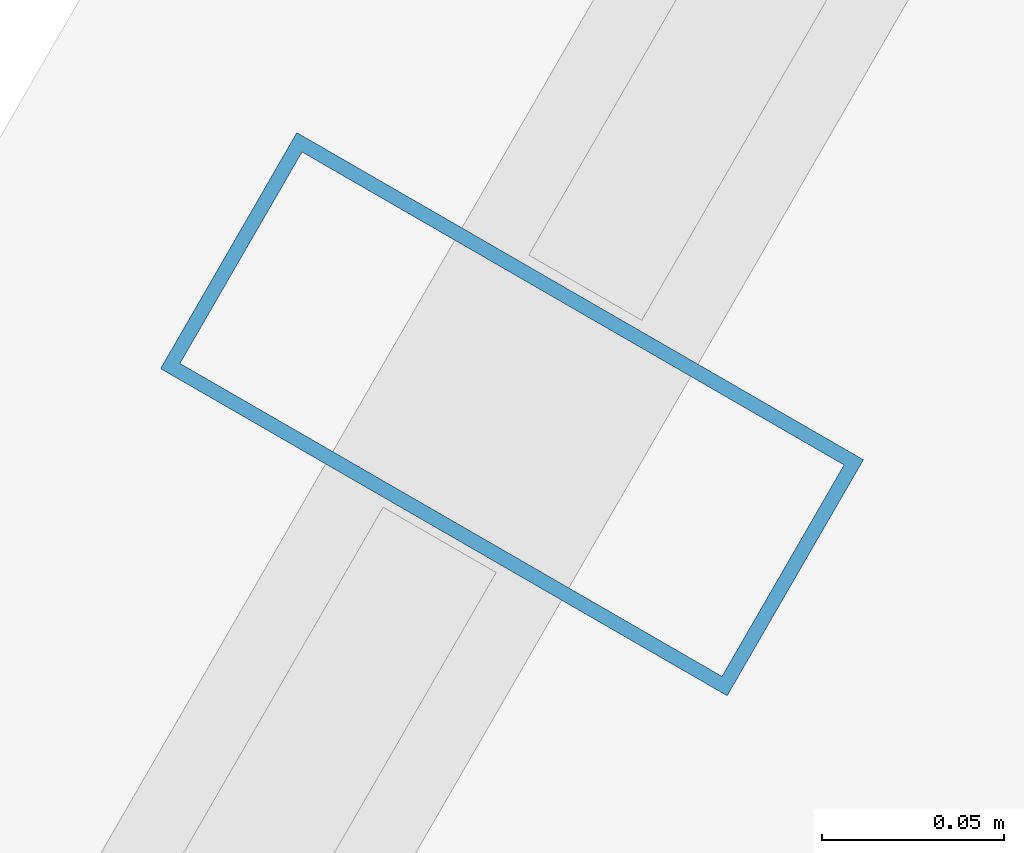
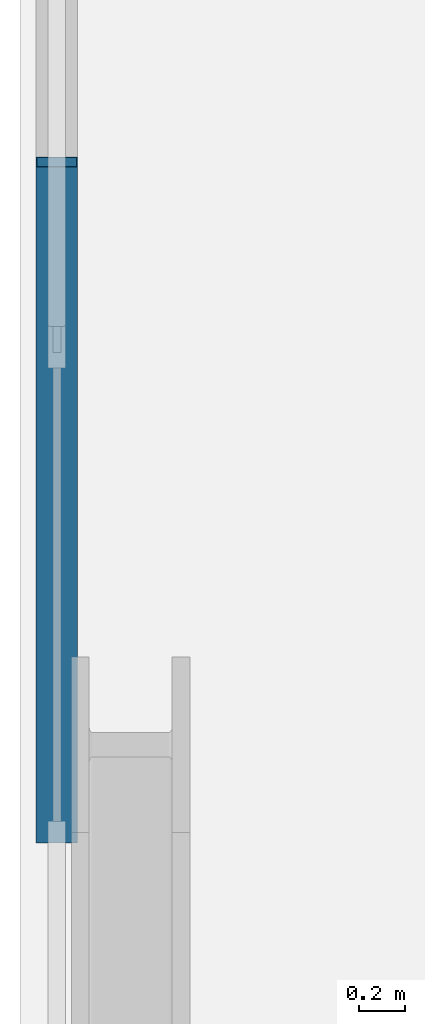
# One storey, part 14 of 33: 1 member, 1 element without a shape of its own.
"""IFC4 building model written with IfcOpenShell, lengths in metres."""

from ifc_helpers import new_model, si_unit, direction, frame, origin, origin_2d, place, context, subcontext, project, spatial, hollow_rectangle, extrude, material, layer, layer_set, material_profile, profile_set, type_object, element, aggregate, save


model = new_model("IFC4")

# Units and contexts
model_context = context("Model", 3, precision=1e-05, world=origin(), true_north=direction((0.0, 1.0)))
body_context = subcontext(model_context, "Body", "Model", "MODEL_VIEW")
ifc_project = project(units=[si_unit("LENGTHUNIT", "METRE"), si_unit("AREAUNIT", "SQUARE_METRE"), si_unit("VOLUMEUNIT", "CUBIC_METRE"), si_unit("PLANEANGLEUNIT", "RADIAN"), si_unit("MASSUNIT", "GRAM", prefix="KILO")], contexts=[model_context])

# Site, building, storey
site_placement = place(None, origin())
site = spatial("IfcSite", under=ifc_project, at=site_placement, CompositionType="ELEMENT")
building_placement = place(site_placement, origin())
building = spatial("IfcBuilding", under=site, at=building_placement, Name="Ndaravel Arena Tower", CompositionType="ELEMENT")
storey_placement = place(building_placement, frame((0.0, 0.0, 85.39990234375)))
storey = spatial("IfcBuildingStorey", under=building, at=storey_placement, Name="L19", CompositionType="ELEMENT", Elevation=85.39990234375)

# Curtain wall, member
ifc_material_1 = material(Name="Aluminium", Category="aluminium")
ifc_layer = layer(ifc_material_1, 0.179931640625)
ifc_layer_set = layer_set([ifc_layer], Name="Aluminium")
curtain_wall_type = type_object("IfcCurtainWallType", Name="CW-SYS-03", PredefinedType="NOTDEFINED", material=ifc_layer_set)
curtain_wall_placement = place(storey_placement, origin())
curtain_wall = element("IfcCurtainWall", 1, at=curtain_wall_placement, inside=storey, type_object=curtain_wall_type, Name="L19 Faceted Crystal Curtain Wall CW-L19-E05", PredefinedType="NOTDEFINED")
ifc_material_2 = material(Name="Aluminium", Category="aluminium")
ifc_material_profile = material_profile(ifc_material_2, hollow_rectangle(XDim=0.074951171875, YDim=0.179931640625, WallThickness=0.00390625, at=origin_2d()), Name="CW MULLION 75x180x4")
ifc_profile_set = profile_set([ifc_material_profile], Name="Aluminium")
member_type = type_object("IfcMemberType", Name="MEM-CW-MUL180", PredefinedType="MULLION", material=ifc_profile_set)
member_placement = place(storey_placement, frame((27.800537109375, 33.78955078125, 0.0), z_axis=(0.0, 0.0, 1.0), x_axis=(-0.5, -0.866025403784, 0.0)))
member = element("IfcMember", 2, at=member_placement, type_object=member_type, Name="CW-L19-E05 Mullion 03", PredefinedType="MULLION", context=body_context, shape_type="SweptSolid", body=[
    extrude(hollow_rectangle(XDim=0.074951171875, YDim=0.179931640625, WallThickness=0.00390625, at=origin_2d()), origin(), (0.0, 0.0, 1.0), 3.580078125),
])
aggregate(curtain_wall, [member])

save(model, "model.ifc")
